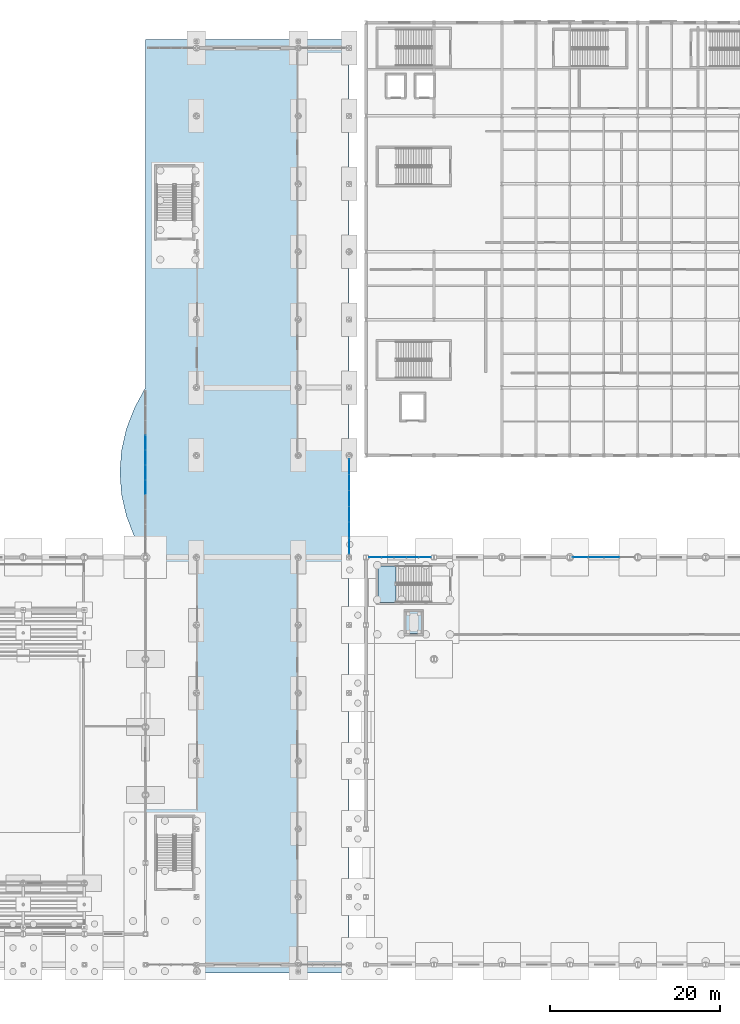
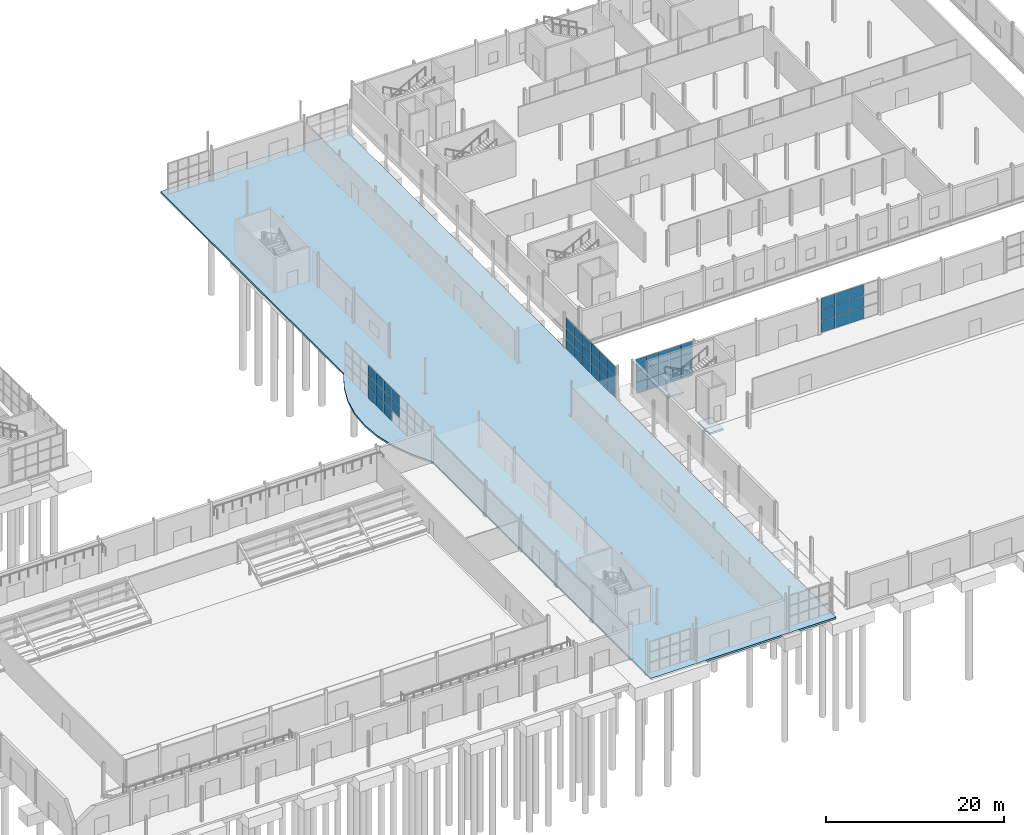
# One storey, part 64 of 101: 53 plates, 3 slabs, 5 elements without a shape of their own.
"""IFC4 building model written with IfcOpenShell, lengths in metres."""

from ifc_helpers import new_model, si_unit, derived_unit, direction, frame, origin, origin_2d, place, context, subcontext, project, spatial, polyline, rectangle, outline, extrude, material, layer, layer_set, type_object, element, aggregate, save


model = new_model("IFC4")

# Units and contexts
model_context = context("Model", 3, precision=1e-05, world=origin(), true_north=direction((0.0, 1.0)))
body_context = subcontext(model_context, "Body", "Model", "MODEL_VIEW")
ifc_project = project(units=[si_unit("LENGTHUNIT", "METRE"), si_unit("AREAUNIT", "SQUARE_METRE"), si_unit("VOLUMEUNIT", "CUBIC_METRE"), si_unit("PLANEANGLEUNIT", "RADIAN"), si_unit("MASSUNIT", "GRAM", prefix="KILO"), derived_unit("THERMALTRANSMITTANCEUNIT", [(si_unit("POWERUNIT", "WATT"), 1), (si_unit("LENGTHUNIT", "METRE"), -2), (si_unit("THERMODYNAMICTEMPERATUREUNIT", "KELVIN"), -1)])], contexts=[model_context])

# Site, building, storey
site_placement = place(None, origin())
site = spatial("IfcSite", under=ifc_project, at=site_placement, CompositionType="ELEMENT")
building_placement = place(site_placement, origin())
building = spatial("IfcBuilding", under=site, at=building_placement, Name="Keldorne Ridge Multi-Sports Centre", CompositionType="ELEMENT")
storey_placement = place(building_placement, origin())
storey = spatial("IfcBuildingStorey", under=building, at=storey_placement, Name="L00", CompositionType="ELEMENT", Elevation=0.0)

# Curtain wall, plates
ifc_material_1 = material(Name="Anodized aluminium", Category="aluminium")
curtain_wall_type_1 = type_object("IfcCurtainWallType", Name="CW-CW-03", PredefinedType="NOTDEFINED", material=ifc_material_1)
curtain_wall_1_placement = place(storey_placement, origin())
curtain_wall_1 = element("IfcCurtainWall", 1, at=curtain_wall_1_placement, inside=storey, type_object=curtain_wall_type_1, Name="Passage west courtyard curtain wall L00 083", PredefinedType="NOTDEFINED")
ifc_material_2 = material(Name="Double low-e insulated glazing", Category="glass")
ifc_layer_1 = layer(ifc_material_2, 0.035888671875)
ifc_layer_set_1 = layer_set([ifc_layer_1])
plate_type = type_object("IfcPlateType", Name="PLT-GL-01", PredefinedType="CURTAIN_PANEL", material=ifc_layer_set_1)
plate_1_placement = place(storey_placement, frame((78.0, 67.490966796875, 0.02001953125), z_axis=(0.0, 0.0, 1.0), x_axis=(0.0, -1.0, 0.0)))
plate_1 = element("IfcPlate", 2, at=plate_1_placement, type_object=plate_type, Name="CW-083 glazed panel 4.1", PredefinedType="CURTAIN_PANEL", context=body_context, shape_type="SweptSolid", body=[
    extrude(rectangle(XDim=1.70556640625, YDim=0.035888671875, at=origin_2d()), origin(), (0.0, 0.0, 1.0), 1.476806640625),
])
plate_2_placement = place(storey_placement, frame((78.0, 67.490966796875, 1.53662109375), z_axis=(0.0, 0.0, 1.0), x_axis=(0.0, -1.0, 0.0)))
plate_2 = element("IfcPlate", 3, at=plate_2_placement, type_object=plate_type, Name="CW-083 glazed panel 4.2", PredefinedType="CURTAIN_PANEL", context=body_context, shape_type="SweptSolid", body=[
    extrude(rectangle(XDim=1.70556640625, YDim=0.035888671875, at=origin_2d()), origin(), (0.0, 0.0, 1.0), 1.476806640625),
])
plate_3_placement = place(storey_placement, frame((78.0, 67.490966796875, 3.05322265625), z_axis=(0.0, 0.0, 1.0), x_axis=(0.0, -1.0, 0.0)))
plate_3 = element("IfcPlate", 4, at=plate_3_placement, type_object=plate_type, Name="CW-083 glazed panel 4.3", PredefinedType="CURTAIN_PANEL", context=body_context, shape_type="SweptSolid", body=[
    extrude(rectangle(XDim=1.70556640625, YDim=0.035888671875, at=origin_2d()), origin(), (0.0, 0.0, 1.0), 1.476806640625),
])
plate_4_placement = place(storey_placement, frame((78.0, 65.74560546875, 0.02001953125), z_axis=(0.0, 0.0, 1.0), x_axis=(0.0, -1.0, 0.0)))
plate_4 = element("IfcPlate", 5, at=plate_4_placement, type_object=plate_type, Name="CW-083 glazed panel 5.1", PredefinedType="CURTAIN_PANEL", context=body_context, shape_type="SweptSolid", body=[
    extrude(rectangle(XDim=1.70556640625, YDim=0.035888671875, at=origin_2d()), origin(), (0.0, 0.0, 1.0), 1.476806640625),
])
plate_5_placement = place(storey_placement, frame((78.0, 65.74560546875, 1.53662109375), z_axis=(0.0, 0.0, 1.0), x_axis=(0.0, -1.0, 0.0)))
plate_5 = element("IfcPlate", 6, at=plate_5_placement, type_object=plate_type, Name="CW-083 glazed panel 5.2", PredefinedType="CURTAIN_PANEL", context=body_context, shape_type="SweptSolid", body=[
    extrude(rectangle(XDim=1.70556640625, YDim=0.035888671875, at=origin_2d()), origin(), (0.0, 0.0, 1.0), 1.476806640625),
])
plate_6_placement = place(storey_placement, frame((78.0, 65.74560546875, 3.05322265625), z_axis=(0.0, 0.0, 1.0), x_axis=(0.0, -1.0, 0.0)))
plate_6 = element("IfcPlate", 7, at=plate_6_placement, type_object=plate_type, Name="CW-083 glazed panel 5.3", PredefinedType="CURTAIN_PANEL", context=body_context, shape_type="SweptSolid", body=[
    extrude(rectangle(XDim=1.70556640625, YDim=0.035888671875, at=origin_2d()), origin(), (0.0, 0.0, 1.0), 1.476806640625),
])
plate_7_placement = place(storey_placement, frame((78.0, 64.0, 0.02001953125), z_axis=(0.0, 0.0, 1.0), x_axis=(0.0, -1.0, 0.0)))
plate_7 = element("IfcPlate", 8, at=plate_7_placement, type_object=plate_type, Name="CW-083 glazed panel 6.1", PredefinedType="CURTAIN_PANEL", context=body_context, shape_type="SweptSolid", body=[
    extrude(rectangle(XDim=1.70556640625, YDim=0.035888671875, at=origin_2d()), origin(), (0.0, 0.0, 1.0), 1.476806640625),
])
plate_8_placement = place(storey_placement, frame((78.0, 64.0, 1.53662109375), z_axis=(0.0, 0.0, 1.0), x_axis=(0.0, -1.0, 0.0)))
plate_8 = element("IfcPlate", 9, at=plate_8_placement, type_object=plate_type, Name="CW-083 glazed panel 6.2", PredefinedType="CURTAIN_PANEL", context=body_context, shape_type="SweptSolid", body=[
    extrude(rectangle(XDim=1.70556640625, YDim=0.035888671875, at=origin_2d()), origin(), (0.0, 0.0, 1.0), 1.476806640625),
])
plate_9_placement = place(storey_placement, frame((78.0, 64.0, 3.05322265625), z_axis=(0.0, 0.0, 1.0), x_axis=(0.0, -1.0, 0.0)))
plate_9 = element("IfcPlate", 10, at=plate_9_placement, type_object=plate_type, Name="CW-083 glazed panel 6.3", PredefinedType="CURTAIN_PANEL", context=body_context, shape_type="SweptSolid", body=[
    extrude(rectangle(XDim=1.70556640625, YDim=0.035888671875, at=origin_2d()), origin(), (0.0, 0.0, 1.0), 1.476806640625),
])
plate_10_placement = place(storey_placement, frame((78.0, 62.25439453125, 1.53662109375), z_axis=(0.0, 0.0, 1.0), x_axis=(0.0, -1.0, 0.0)))
plate_10 = element("IfcPlate", 11, at=plate_10_placement, type_object=plate_type, Name="CW-083 glazed panel 7.2", PredefinedType="CURTAIN_PANEL", context=body_context, shape_type="SweptSolid", body=[
    extrude(rectangle(XDim=1.70556640625, YDim=0.035888671875, at=origin_2d()), origin(), (0.0, 0.0, 1.0), 1.476806640625),
])
plate_11_placement = place(storey_placement, frame((78.0, 62.25439453125, 3.05322265625), z_axis=(0.0, 0.0, 1.0), x_axis=(0.0, -1.0, 0.0)))
plate_11 = element("IfcPlate", 12, at=plate_11_placement, type_object=plate_type, Name="CW-083 glazed panel 7.3", PredefinedType="CURTAIN_PANEL", context=body_context, shape_type="SweptSolid", body=[
    extrude(rectangle(XDim=1.70556640625, YDim=0.035888671875, at=origin_2d()), origin(), (0.0, 0.0, 1.0), 1.476806640625),
])
aggregate(curtain_wall_1, [plate_1, plate_2, plate_3, plate_4, plate_5, plate_6, plate_7, plate_8, plate_9, plate_10, plate_11])

curtain_wall_type_2 = type_object("IfcCurtainWallType", Name="CW-CW-05", PredefinedType="NOTDEFINED", material=ifc_material_1)
curtain_wall_2_placement = place(storey_placement, origin())
curtain_wall_2 = element("IfcCurtainWall", 13, at=curtain_wall_2_placement, inside=storey, type_object=curtain_wall_type_2, Name="Passage east courtyard curtain wall L00 085", PredefinedType="NOTDEFINED")
plate_12_placement = place(storey_placement, frame((102.0, 55.333251953125, 0.02001953125), z_axis=(0.0, 0.0, 1.0), x_axis=(0.0, 1.0, 0.0)))
plate_12 = element("IfcPlate", 14, at=plate_12_placement, type_object=plate_type, Name="CW-085 glazed panel 1.1", PredefinedType="CURTAIN_PANEL", context=body_context, shape_type="SweptSolid", body=[
    extrude(rectangle(XDim=1.82666015625, YDim=0.035888671875, at=origin_2d()), origin(), (0.0, 0.0, 1.0), 1.393310546875),
])
plate_13_placement = place(storey_placement, frame((102.0, 55.333251953125, 1.453125), z_axis=(0.0, 0.0, 1.0), x_axis=(0.0, 1.0, 0.0)))
plate_13 = element("IfcPlate", 15, at=plate_13_placement, type_object=plate_type, Name="CW-085 glazed panel 1.2", PredefinedType="CURTAIN_PANEL", context=body_context, shape_type="SweptSolid", body=[
    extrude(rectangle(XDim=1.82666015625, YDim=0.035888671875, at=origin_2d()), origin(), (0.0, 0.0, 1.0), 1.393310546875),
])
plate_14_placement = place(storey_placement, frame((102.0, 55.333251953125, 2.88671875), z_axis=(0.0, 0.0, 1.0), x_axis=(0.0, 1.0, 0.0)))
plate_14 = element("IfcPlate", 16, at=plate_14_placement, type_object=plate_type, Name="CW-085 glazed panel 1.3", PredefinedType="CURTAIN_PANEL", context=body_context, shape_type="SweptSolid", body=[
    extrude(rectangle(XDim=1.82666015625, YDim=0.035888671875, at=origin_2d()), origin(), (0.0, 0.0, 1.0), 1.393310546875),
])
plate_15_placement = place(storey_placement, frame((102.0, 57.199951171875, 0.02001953125), z_axis=(0.0, 0.0, 1.0), x_axis=(0.0, 1.0, 0.0)))
plate_15 = element("IfcPlate", 17, at=plate_15_placement, type_object=plate_type, Name="CW-085 glazed panel 2.1", PredefinedType="CURTAIN_PANEL", context=body_context, shape_type="SweptSolid", body=[
    extrude(rectangle(XDim=1.82666015625, YDim=0.035888671875, at=origin_2d()), origin(), (0.0, 0.0, 1.0), 1.393310546875),
])
plate_16_placement = place(storey_placement, frame((102.0, 57.199951171875, 1.453125), z_axis=(0.0, 0.0, 1.0), x_axis=(0.0, 1.0, 0.0)))
plate_16 = element("IfcPlate", 18, at=plate_16_placement, type_object=plate_type, Name="CW-085 glazed panel 2.2", PredefinedType="CURTAIN_PANEL", context=body_context, shape_type="SweptSolid", body=[
    extrude(rectangle(XDim=1.82666015625, YDim=0.035888671875, at=origin_2d()), origin(), (0.0, 0.0, 1.0), 1.393310546875),
])
plate_17_placement = place(storey_placement, frame((102.0, 57.199951171875, 2.88671875), z_axis=(0.0, 0.0, 1.0), x_axis=(0.0, 1.0, 0.0)))
plate_17 = element("IfcPlate", 19, at=plate_17_placement, type_object=plate_type, Name="CW-085 glazed panel 2.3", PredefinedType="CURTAIN_PANEL", context=body_context, shape_type="SweptSolid", body=[
    extrude(rectangle(XDim=1.82666015625, YDim=0.035888671875, at=origin_2d()), origin(), (0.0, 0.0, 1.0), 1.393310546875),
])
plate_18_placement = place(storey_placement, frame((102.0, 59.066650390625, 0.02001953125), z_axis=(0.0, 0.0, 1.0), x_axis=(0.0, 1.0, 0.0)))
plate_18 = element("IfcPlate", 20, at=plate_18_placement, type_object=plate_type, Name="CW-085 glazed panel 3.1", PredefinedType="CURTAIN_PANEL", context=body_context, shape_type="SweptSolid", body=[
    extrude(rectangle(XDim=1.82666015625, YDim=0.035888671875, at=origin_2d()), origin(), (0.0, 0.0, 1.0), 1.393310546875),
])
plate_19_placement = place(storey_placement, frame((102.0, 59.066650390625, 1.453125), z_axis=(0.0, 0.0, 1.0), x_axis=(0.0, 1.0, 0.0)))
plate_19 = element("IfcPlate", 21, at=plate_19_placement, type_object=plate_type, Name="CW-085 glazed panel 3.2", PredefinedType="CURTAIN_PANEL", context=body_context, shape_type="SweptSolid", body=[
    extrude(rectangle(XDim=1.82666015625, YDim=0.035888671875, at=origin_2d()), origin(), (0.0, 0.0, 1.0), 1.393310546875),
])
plate_20_placement = place(storey_placement, frame((102.0, 59.066650390625, 2.88671875), z_axis=(0.0, 0.0, 1.0), x_axis=(0.0, 1.0, 0.0)))
plate_20 = element("IfcPlate", 22, at=plate_20_placement, type_object=plate_type, Name="CW-085 glazed panel 3.3", PredefinedType="CURTAIN_PANEL", context=body_context, shape_type="SweptSolid", body=[
    extrude(rectangle(XDim=1.82666015625, YDim=0.035888671875, at=origin_2d()), origin(), (0.0, 0.0, 1.0), 1.393310546875),
])
plate_21_placement = place(storey_placement, frame((102.0, 60.933349609375, 0.02001953125), z_axis=(0.0, 0.0, 1.0), x_axis=(0.0, 1.0, 0.0)))
plate_21 = element("IfcPlate", 23, at=plate_21_placement, type_object=plate_type, Name="CW-085 glazed panel 4.1", PredefinedType="CURTAIN_PANEL", context=body_context, shape_type="SweptSolid", body=[
    extrude(rectangle(XDim=1.82666015625, YDim=0.035888671875, at=origin_2d()), origin(), (0.0, 0.0, 1.0), 1.393310546875),
])
plate_22_placement = place(storey_placement, frame((102.0, 60.933349609375, 1.453125), z_axis=(0.0, 0.0, 1.0), x_axis=(0.0, 1.0, 0.0)))
plate_22 = element("IfcPlate", 24, at=plate_22_placement, type_object=plate_type, Name="CW-085 glazed panel 4.2", PredefinedType="CURTAIN_PANEL", context=body_context, shape_type="SweptSolid", body=[
    extrude(rectangle(XDim=1.82666015625, YDim=0.035888671875, at=origin_2d()), origin(), (0.0, 0.0, 1.0), 1.393310546875),
])
plate_23_placement = place(storey_placement, frame((102.0, 60.933349609375, 2.88671875), z_axis=(0.0, 0.0, 1.0), x_axis=(0.0, 1.0, 0.0)))
plate_23 = element("IfcPlate", 25, at=plate_23_placement, type_object=plate_type, Name="CW-085 glazed panel 4.3", PredefinedType="CURTAIN_PANEL", context=body_context, shape_type="SweptSolid", body=[
    extrude(rectangle(XDim=1.82666015625, YDim=0.035888671875, at=origin_2d()), origin(), (0.0, 0.0, 1.0), 1.393310546875),
])
plate_24_placement = place(storey_placement, frame((102.0, 62.800048828125, 0.02001953125), z_axis=(0.0, 0.0, 1.0), x_axis=(0.0, 1.0, 0.0)))
plate_24 = element("IfcPlate", 26, at=plate_24_placement, type_object=plate_type, Name="CW-085 glazed panel 5.1", PredefinedType="CURTAIN_PANEL", context=body_context, shape_type="SweptSolid", body=[
    extrude(rectangle(XDim=1.82666015625, YDim=0.035888671875, at=origin_2d()), origin(), (0.0, 0.0, 1.0), 1.393310546875),
])
plate_25_placement = place(storey_placement, frame((102.0, 62.800048828125, 1.453125), z_axis=(0.0, 0.0, 1.0), x_axis=(0.0, 1.0, 0.0)))
plate_25 = element("IfcPlate", 27, at=plate_25_placement, type_object=plate_type, Name="CW-085 glazed panel 5.2", PredefinedType="CURTAIN_PANEL", context=body_context, shape_type="SweptSolid", body=[
    extrude(rectangle(XDim=1.82666015625, YDim=0.035888671875, at=origin_2d()), origin(), (0.0, 0.0, 1.0), 1.393310546875),
])
plate_26_placement = place(storey_placement, frame((102.0, 62.800048828125, 2.88671875), z_axis=(0.0, 0.0, 1.0), x_axis=(0.0, 1.0, 0.0)))
plate_26 = element("IfcPlate", 28, at=plate_26_placement, type_object=plate_type, Name="CW-085 glazed panel 5.3", PredefinedType="CURTAIN_PANEL", context=body_context, shape_type="SweptSolid", body=[
    extrude(rectangle(XDim=1.82666015625, YDim=0.035888671875, at=origin_2d()), origin(), (0.0, 0.0, 1.0), 1.393310546875),
])
plate_27_placement = place(storey_placement, frame((102.0, 64.666748046875, 0.02001953125), z_axis=(0.0, 0.0, 1.0), x_axis=(0.0, 1.0, 0.0)))
plate_27 = element("IfcPlate", 29, at=plate_27_placement, type_object=plate_type, Name="CW-085 glazed panel 6.1", PredefinedType="CURTAIN_PANEL", context=body_context, shape_type="SweptSolid", body=[
    extrude(rectangle(XDim=1.82666015625, YDim=0.035888671875, at=origin_2d()), origin(), (0.0, 0.0, 1.0), 1.393310546875),
])
plate_28_placement = place(storey_placement, frame((102.0, 64.666748046875, 1.453125), z_axis=(0.0, 0.0, 1.0), x_axis=(0.0, 1.0, 0.0)))
plate_28 = element("IfcPlate", 30, at=plate_28_placement, type_object=plate_type, Name="CW-085 glazed panel 6.2", PredefinedType="CURTAIN_PANEL", context=body_context, shape_type="SweptSolid", body=[
    extrude(rectangle(XDim=1.82666015625, YDim=0.035888671875, at=origin_2d()), origin(), (0.0, 0.0, 1.0), 1.393310546875),
])
plate_29_placement = place(storey_placement, frame((102.0, 64.666748046875, 2.88671875), z_axis=(0.0, 0.0, 1.0), x_axis=(0.0, 1.0, 0.0)))
plate_29 = element("IfcPlate", 31, at=plate_29_placement, type_object=plate_type, Name="CW-085 glazed panel 6.3", PredefinedType="CURTAIN_PANEL", context=body_context, shape_type="SweptSolid", body=[
    extrude(rectangle(XDim=1.82666015625, YDim=0.035888671875, at=origin_2d()), origin(), (0.0, 0.0, 1.0), 1.393310546875),
])
aggregate(curtain_wall_2, [plate_12, plate_13, plate_14, plate_15, plate_16, plate_17, plate_18, plate_19, plate_20, plate_21, plate_22, plate_23, plate_24, plate_25, plate_26, plate_27, plate_28, plate_29])

curtain_wall_type_3 = type_object("IfcCurtainWallType", Name="CW-CW-02", PredefinedType="NOTDEFINED", material=ifc_material_1)
curtain_wall_3_placement = place(storey_placement, origin())
curtain_wall_3 = element("IfcCurtainWall", 32, at=curtain_wall_3_placement, inside=storey, type_object=curtain_wall_type_3, Name="Lower Courts north glazing 090", PredefinedType="NOTDEFINED")
plate_30_placement = place(storey_placement, frame((110.927978515625, 54.0, 0.02001953125), z_axis=(0.0, 0.0, 1.0), x_axis=(-1.0, 0.0, 0.0)))
plate_30 = element("IfcPlate", 33, at=plate_30_placement, type_object=plate_type, Name="CW-090 glazed panel 1.1", PredefinedType="CURTAIN_PANEL", context=body_context, shape_type="SweptSolid", body=[
    extrude(rectangle(XDim=1.424072265625, YDim=0.035888671875, at=origin_2d()), origin(), (0.0, 0.0, 1.0), 1.543212890625),
])
plate_31_placement = place(storey_placement, frame((110.927978515625, 54.0, 1.603515625), z_axis=(0.0, 0.0, 1.0), x_axis=(-1.0, 0.0, 0.0)))
plate_31 = element("IfcPlate", 34, at=plate_31_placement, type_object=plate_type, Name="CW-090 glazed panel 1.2", PredefinedType="CURTAIN_PANEL", context=body_context, shape_type="SweptSolid", body=[
    extrude(rectangle(XDim=1.424072265625, YDim=0.035888671875, at=origin_2d()), origin(), (0.0, 0.0, 1.0), 1.543212890625),
])
plate_32_placement = place(storey_placement, frame((110.927978515625, 54.0, 3.1865234375), z_axis=(0.0, 0.0, 1.0), x_axis=(-1.0, 0.0, 0.0)))
plate_32 = element("IfcPlate", 35, at=plate_32_placement, type_object=plate_type, Name="CW-090 glazed panel 1.3", PredefinedType="CURTAIN_PANEL", context=body_context, shape_type="SweptSolid", body=[
    extrude(rectangle(XDim=1.424072265625, YDim=0.035888671875, at=origin_2d()), origin(), (0.0, 0.0, 1.0), 1.543212890625),
])
plate_33_placement = place(storey_placement, frame((109.464111328125, 54.0, 0.02001953125), z_axis=(0.0, 0.0, 1.0), x_axis=(-1.0, 0.0, 0.0)))
plate_33 = element("IfcPlate", 36, at=plate_33_placement, type_object=plate_type, Name="CW-090 glazed panel 2.1", PredefinedType="CURTAIN_PANEL", context=body_context, shape_type="SweptSolid", body=[
    extrude(rectangle(XDim=1.424072265625, YDim=0.035888671875, at=origin_2d()), origin(), (0.0, 0.0, 1.0), 1.543212890625),
])
plate_34_placement = place(storey_placement, frame((109.464111328125, 54.0, 1.603515625), z_axis=(0.0, 0.0, 1.0), x_axis=(-1.0, 0.0, 0.0)))
plate_34 = element("IfcPlate", 37, at=plate_34_placement, type_object=plate_type, Name="CW-090 glazed panel 2.2", PredefinedType="CURTAIN_PANEL", context=body_context, shape_type="SweptSolid", body=[
    extrude(rectangle(XDim=1.424072265625, YDim=0.035888671875, at=origin_2d()), origin(), (0.0, 0.0, 1.0), 1.543212890625),
])
plate_35_placement = place(storey_placement, frame((109.464111328125, 54.0, 3.1865234375), z_axis=(0.0, 0.0, 1.0), x_axis=(-1.0, 0.0, 0.0)))
plate_35 = element("IfcPlate", 38, at=plate_35_placement, type_object=plate_type, Name="CW-090 glazed panel 2.3", PredefinedType="CURTAIN_PANEL", context=body_context, shape_type="SweptSolid", body=[
    extrude(rectangle(XDim=1.424072265625, YDim=0.035888671875, at=origin_2d()), origin(), (0.0, 0.0, 1.0), 1.543212890625),
])
plate_36_placement = place(storey_placement, frame((108.0, 54.0, 0.02001953125), z_axis=(0.0, 0.0, 1.0), x_axis=(-1.0, 0.0, 0.0)))
plate_36 = element("IfcPlate", 39, at=plate_36_placement, type_object=plate_type, Name="CW-090 glazed panel 3.1", PredefinedType="CURTAIN_PANEL", context=body_context, shape_type="SweptSolid", body=[
    extrude(rectangle(XDim=1.424072265625, YDim=0.035888671875, at=origin_2d()), origin(), (0.0, 0.0, 1.0), 1.543212890625),
])
plate_37_placement = place(storey_placement, frame((108.0, 54.0, 1.603515625), z_axis=(0.0, 0.0, 1.0), x_axis=(-1.0, 0.0, 0.0)))
plate_37 = element("IfcPlate", 40, at=plate_37_placement, type_object=plate_type, Name="CW-090 glazed panel 3.2", PredefinedType="CURTAIN_PANEL", context=body_context, shape_type="SweptSolid", body=[
    extrude(rectangle(XDim=1.424072265625, YDim=0.035888671875, at=origin_2d()), origin(), (0.0, 0.0, 1.0), 1.543212890625),
])
plate_38_placement = place(storey_placement, frame((108.0, 54.0, 3.1865234375), z_axis=(0.0, 0.0, 1.0), x_axis=(-1.0, 0.0, 0.0)))
plate_38 = element("IfcPlate", 41, at=plate_38_placement, type_object=plate_type, Name="CW-090 glazed panel 3.3", PredefinedType="CURTAIN_PANEL", context=body_context, shape_type="SweptSolid", body=[
    extrude(rectangle(XDim=1.424072265625, YDim=0.035888671875, at=origin_2d()), origin(), (0.0, 0.0, 1.0), 1.543212890625),
])
plate_39_placement = place(storey_placement, frame((106.535888671875, 54.0, 0.02001953125), z_axis=(0.0, 0.0, 1.0), x_axis=(-1.0, 0.0, 0.0)))
plate_39 = element("IfcPlate", 42, at=plate_39_placement, type_object=plate_type, Name="CW-090 glazed panel 4.1", PredefinedType="CURTAIN_PANEL", context=body_context, shape_type="SweptSolid", body=[
    extrude(rectangle(XDim=1.424072265625, YDim=0.035888671875, at=origin_2d()), origin(), (0.0, 0.0, 1.0), 1.543212890625),
])
plate_40_placement = place(storey_placement, frame((106.535888671875, 54.0, 1.603515625), z_axis=(0.0, 0.0, 1.0), x_axis=(-1.0, 0.0, 0.0)))
plate_40 = element("IfcPlate", 43, at=plate_40_placement, type_object=plate_type, Name="CW-090 glazed panel 4.2", PredefinedType="CURTAIN_PANEL", context=body_context, shape_type="SweptSolid", body=[
    extrude(rectangle(XDim=1.424072265625, YDim=0.035888671875, at=origin_2d()), origin(), (0.0, 0.0, 1.0), 1.543212890625),
])
plate_41_placement = place(storey_placement, frame((106.535888671875, 54.0, 3.1865234375), z_axis=(0.0, 0.0, 1.0), x_axis=(-1.0, 0.0, 0.0)))
plate_41 = element("IfcPlate", 44, at=plate_41_placement, type_object=plate_type, Name="CW-090 glazed panel 4.3", PredefinedType="CURTAIN_PANEL", context=body_context, shape_type="SweptSolid", body=[
    extrude(rectangle(XDim=1.424072265625, YDim=0.035888671875, at=origin_2d()), origin(), (0.0, 0.0, 1.0), 1.543212890625),
])
plate_42_placement = place(storey_placement, frame((105.072021484375, 54.0, 0.02001953125), z_axis=(0.0, 0.0, 1.0), x_axis=(-1.0, 0.0, 0.0)))
plate_42 = element("IfcPlate", 45, at=plate_42_placement, type_object=plate_type, Name="CW-090 glazed panel 5.1", PredefinedType="CURTAIN_PANEL", context=body_context, shape_type="SweptSolid", body=[
    extrude(rectangle(XDim=1.424072265625, YDim=0.035888671875, at=origin_2d()), origin(), (0.0, 0.0, 1.0), 1.543212890625),
])
plate_43_placement = place(storey_placement, frame((105.072021484375, 54.0, 1.603515625), z_axis=(0.0, 0.0, 1.0), x_axis=(-1.0, 0.0, 0.0)))
plate_43 = element("IfcPlate", 46, at=plate_43_placement, type_object=plate_type, Name="CW-090 glazed panel 5.2", PredefinedType="CURTAIN_PANEL", context=body_context, shape_type="SweptSolid", body=[
    extrude(rectangle(XDim=1.424072265625, YDim=0.035888671875, at=origin_2d()), origin(), (0.0, 0.0, 1.0), 1.543212890625),
])
plate_44_placement = place(storey_placement, frame((105.072021484375, 54.0, 3.1865234375), z_axis=(0.0, 0.0, 1.0), x_axis=(-1.0, 0.0, 0.0)))
plate_44 = element("IfcPlate", 47, at=plate_44_placement, type_object=plate_type, Name="CW-090 glazed panel 5.3", PredefinedType="CURTAIN_PANEL", context=body_context, shape_type="SweptSolid", body=[
    extrude(rectangle(XDim=1.424072265625, YDim=0.035888671875, at=origin_2d()), origin(), (0.0, 0.0, 1.0), 1.543212890625),
])
aggregate(curtain_wall_3, [plate_30, plate_31, plate_32, plate_33, plate_34, plate_35, plate_36, plate_37, plate_38, plate_39, plate_40, plate_41, plate_42, plate_43, plate_44])

curtain_wall_4_placement = place(storey_placement, origin())
curtain_wall_4 = element("IfcCurtainWall", 48, at=curtain_wall_4_placement, inside=storey, type_object=curtain_wall_type_2, Name="Lower Courts north glazing 109", PredefinedType="NOTDEFINED")
plate_45_placement = place(storey_placement, frame((132.9150390625, 54.0, 0.02001953125), z_axis=(0.0, 0.0, 1.0), x_axis=(-1.0, 0.0, 0.0)))
plate_45 = element("IfcPlate", 49, at=plate_45_placement, type_object=plate_type, Name="CW-109 glazed panel 2.1", PredefinedType="CURTAIN_PANEL", context=body_context, shape_type="SweptSolid", body=[
    extrude(rectangle(XDim=1.7900390625, YDim=0.035888671875, at=origin_2d()), origin(), (0.0, 0.0, 1.0), 1.543212890625),
])
plate_46_placement = place(storey_placement, frame((132.9150390625, 54.0, 1.603515625), z_axis=(0.0, 0.0, 1.0), x_axis=(-1.0, 0.0, 0.0)))
plate_46 = element("IfcPlate", 50, at=plate_46_placement, type_object=plate_type, Name="CW-109 glazed panel 2.2", PredefinedType="CURTAIN_PANEL", context=body_context, shape_type="SweptSolid", body=[
    extrude(rectangle(XDim=1.7900390625, YDim=0.035888671875, at=origin_2d()), origin(), (0.0, 0.0, 1.0), 1.543212890625),
])
plate_47_placement = place(storey_placement, frame((132.9150390625, 54.0, 3.1865234375), z_axis=(0.0, 0.0, 1.0), x_axis=(-1.0, 0.0, 0.0)))
plate_47 = element("IfcPlate", 51, at=plate_47_placement, type_object=plate_type, Name="CW-109 glazed panel 2.3", PredefinedType="CURTAIN_PANEL", context=body_context, shape_type="SweptSolid", body=[
    extrude(rectangle(XDim=1.7900390625, YDim=0.035888671875, at=origin_2d()), origin(), (0.0, 0.0, 1.0), 1.543212890625),
])
plate_48_placement = place(storey_placement, frame((131.0849609375, 54.0, 0.02001953125), z_axis=(0.0, 0.0, 1.0), x_axis=(-1.0, 0.0, 0.0)))
plate_48 = element("IfcPlate", 52, at=plate_48_placement, type_object=plate_type, Name="CW-109 glazed panel 3.1", PredefinedType="CURTAIN_PANEL", context=body_context, shape_type="SweptSolid", body=[
    extrude(rectangle(XDim=1.7900390625, YDim=0.035888671875, at=origin_2d()), origin(), (0.0, 0.0, 1.0), 1.543212890625),
])
plate_49_placement = place(storey_placement, frame((131.0849609375, 54.0, 1.603515625), z_axis=(0.0, 0.0, 1.0), x_axis=(-1.0, 0.0, 0.0)))
plate_49 = element("IfcPlate", 53, at=plate_49_placement, type_object=plate_type, Name="CW-109 glazed panel 3.2", PredefinedType="CURTAIN_PANEL", context=body_context, shape_type="SweptSolid", body=[
    extrude(rectangle(XDim=1.7900390625, YDim=0.035888671875, at=origin_2d()), origin(), (0.0, 0.0, 1.0), 1.543212890625),
])
plate_50_placement = place(storey_placement, frame((131.0849609375, 54.0, 3.1865234375), z_axis=(0.0, 0.0, 1.0), x_axis=(-1.0, 0.0, 0.0)))
plate_50 = element("IfcPlate", 54, at=plate_50_placement, type_object=plate_type, Name="CW-109 glazed panel 3.3", PredefinedType="CURTAIN_PANEL", context=body_context, shape_type="SweptSolid", body=[
    extrude(rectangle(XDim=1.7900390625, YDim=0.035888671875, at=origin_2d()), origin(), (0.0, 0.0, 1.0), 1.543212890625),
])
plate_51_placement = place(storey_placement, frame((129.2548828125, 54.0, 0.02001953125), z_axis=(0.0, 0.0, 1.0), x_axis=(-1.0, 0.0, 0.0)))
plate_51 = element("IfcPlate", 55, at=plate_51_placement, type_object=plate_type, Name="CW-109 glazed panel 4.1", PredefinedType="CURTAIN_PANEL", context=body_context, shape_type="SweptSolid", body=[
    extrude(rectangle(XDim=1.7900390625, YDim=0.035888671875, at=origin_2d()), origin(), (0.0, 0.0, 1.0), 1.543212890625),
])
plate_52_placement = place(storey_placement, frame((129.2548828125, 54.0, 1.603515625), z_axis=(0.0, 0.0, 1.0), x_axis=(-1.0, 0.0, 0.0)))
plate_52 = element("IfcPlate", 56, at=plate_52_placement, type_object=plate_type, Name="CW-109 glazed panel 4.2", PredefinedType="CURTAIN_PANEL", context=body_context, shape_type="SweptSolid", body=[
    extrude(rectangle(XDim=1.7900390625, YDim=0.035888671875, at=origin_2d()), origin(), (0.0, 0.0, 1.0), 1.543212890625),
])
plate_53_placement = place(storey_placement, frame((129.2548828125, 54.0, 3.1865234375), z_axis=(0.0, 0.0, 1.0), x_axis=(-1.0, 0.0, 0.0)))
plate_53 = element("IfcPlate", 57, at=plate_53_placement, type_object=plate_type, Name="CW-109 glazed panel 4.3", PredefinedType="CURTAIN_PANEL", context=body_context, shape_type="SweptSolid", body=[
    extrude(rectangle(XDim=1.7900390625, YDim=0.035888671875, at=origin_2d()), origin(), (0.0, 0.0, 1.0), 1.543212890625),
])
aggregate(curtain_wall_4, [plate_45, plate_46, plate_47, plate_48, plate_49, plate_50, plate_51, plate_52, plate_53])

# Stair, slab
ifc_material_3 = material(Name="Concrete C35/45", Category="concrete")
stair_type = type_object("IfcStairType", Name="STR-S01", PredefinedType="HALF_TURN_STAIR", material=ifc_material_3)
stair_placement = place(storey_placement, origin())
stair = element("IfcStair", 58, at=stair_placement, inside=storey, type_object=stair_type, Name="L00 Stacked Courts Core C4", PredefinedType="HALF_TURN_STAIR")
ifc_layer_2 = layer(ifc_material_3, 0.199951171875)
ifc_layer_set_2 = layer_set([ifc_layer_2], Name="Concrete C35/45")
slab_type_1 = type_object("IfcSlabType", Name="SLB-LDG-01", PredefinedType="LANDING", material=ifc_layer_set_2)
slab_1_placement = place(storey_placement, frame((0.0, 0.0, 2.199951171875)))
slab_1 = element("IfcSlab", 59, at=slab_1_placement, type_object=slab_type_1, Name="ST-04 landing 1", PredefinedType="LANDING", context=body_context, shape_type="SweptSolid", body=[
    extrude(outline(polyline([(107.5, 53.0), (105.39990234375, 53.0), (105.39990234375, 48.699951171875), (107.5, 48.699951171875), (107.5, 53.0)])), origin(), (0.0, 0.0, 1.0), 0.199951171875),
])
aggregate(stair, [slab_1])

# Slabs
ifc_layer_3 = layer(ifc_material_3, 0.18994140625)
ifc_layer_set_3 = layer_set([ifc_layer_3], Name="Concrete C35/45")
slab_type_2 = type_object("IfcSlabType", Name="SLB-SL-F04", PredefinedType="FLOOR", material=ifc_layer_set_3)
slab_2_placement = place(storey_placement, frame((0.0, 0.0, -1.64990234375)))
element("IfcSlab", 60, at=slab_2_placement, inside=storey, type_object=slab_type_2, Name="Lift L-03 pit base slab", PredefinedType="FLOOR", context=body_context, shape_type="SweptSolid", body=[
    extrude(outline(polyline([(108.699951171875, 45.0), (110.5, 45.0), (110.5, 47.60009765625), (108.699951171875, 47.60009765625), (108.699951171875, 45.0)])), origin(), (0.0, 0.0, 1.0), 0.25),
])
ifc_layer_4 = layer(ifc_material_3, 0.25)
ifc_layer_set_4 = layer_set([ifc_layer_4], Name="Concrete C35/45")
slab_type_3 = type_object("IfcSlabType", Name="SLB-SL-G01", PredefinedType="BASESLAB", material=ifc_layer_set_4)
slab_3_placement = place(storey_placement, frame((0.0, 0.0, -0.25)))
element("IfcSlab", 61, at=slab_3_placement, inside=storey, type_object=slab_type_3, Name="Ground Covered Public Passage slab", PredefinedType="BASESLAB", context=body_context, shape_type="SweptSolid", body=[
    extrude(outline(polyline([(78.0, 5.0), (102.0, 5.0), (102.0, 115.0), (78.0, 115.0), (78.0, 74.0), (76.697998046875, 71.576904296875), (75.751953125, 69.125), (75.177978515625, 66.583984375), (74.986083984375, 64.0), (75.177978515625, 61.416015625), (75.751953125, 58.875), (76.697998046875, 56.423095703125), (78.0, 54.0), (78.0, 5.0)])), origin(), (0.0, 0.0, 1.0), 0.25),
])

save(model, "model.ifc")
